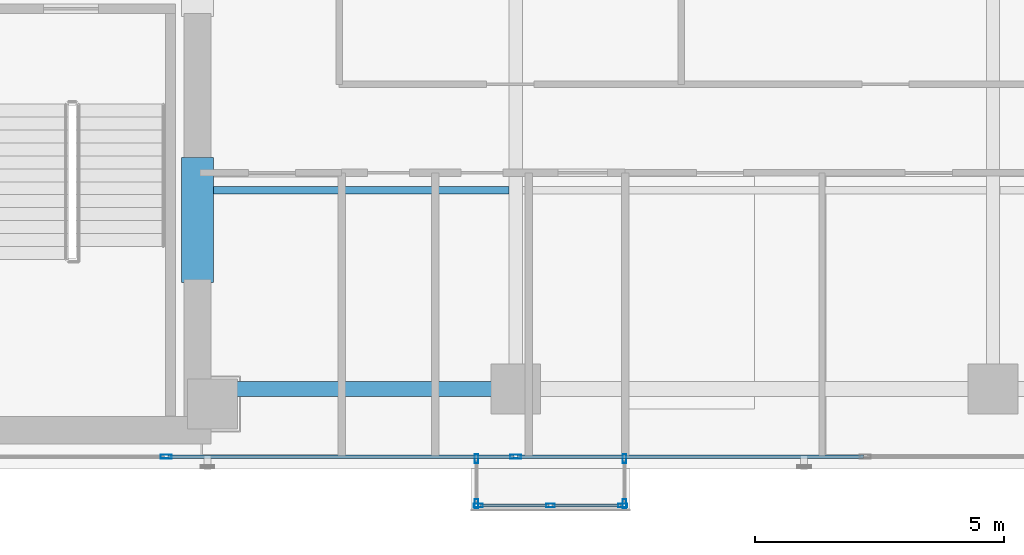
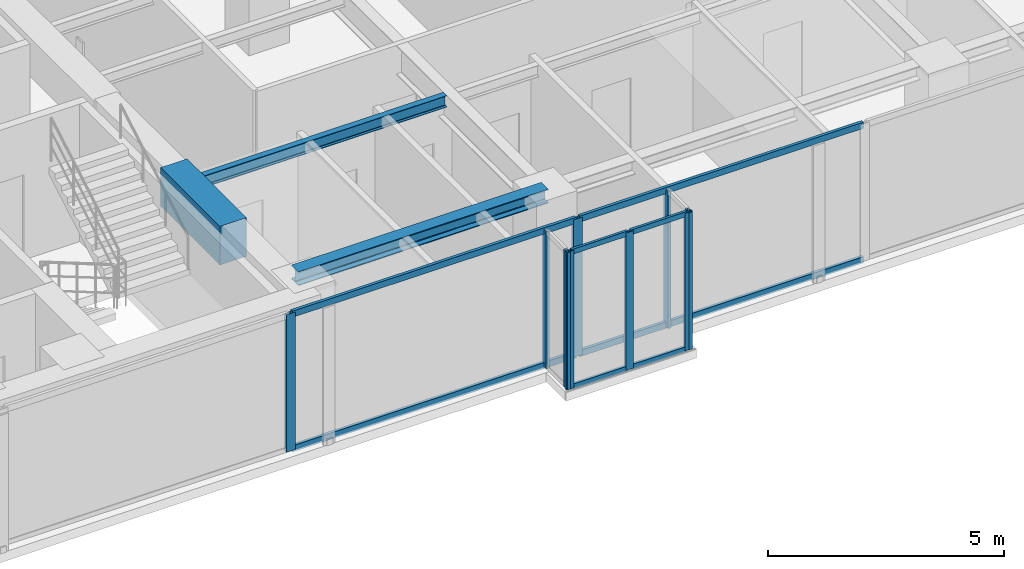
# One storey, part 4 of 22: 17 members, 3 beams, 4 elements without a shape of their own.
"""IFC4 building model written with IfcOpenShell, lengths in metres."""

from ifc_helpers import new_model, si_unit, direction, frame, origin, origin_with_axes, origin_2d, place, context, subcontext, project, spatial, rectangle, hollow_rectangle, i_section, extrude, source, transform, mapped, material, layer, layer_set, material_profile, profile_set, type_object, element, aggregate, save


model = new_model("IFC4")

# Units and contexts
model_context = context("Model", 3, precision=1e-05, world=origin(), true_north=direction((0.0, 1.0)))
body_context = subcontext(model_context, "Body", "Model", "MODEL_VIEW")
ifc_project = project(units=[si_unit("LENGTHUNIT", "METRE"), si_unit("AREAUNIT", "SQUARE_METRE"), si_unit("VOLUMEUNIT", "CUBIC_METRE"), si_unit("PLANEANGLEUNIT", "RADIAN"), si_unit("MASSUNIT", "GRAM", prefix="KILO")], contexts=[model_context])

# Site, building, storey
site_placement = place(None, origin())
site = spatial("IfcSite", under=ifc_project, at=site_placement, CompositionType="ELEMENT")
building_placement = place(site_placement, origin())
building = spatial("IfcBuilding", under=site, at=building_placement, Name="Kolvaren Waterfront Exchange", CompositionType="ELEMENT")
storey_placement = place(building_placement, frame((0.0, 0.0, 246.300048828125)))
storey = spatial("IfcBuildingStorey", under=building, at=storey_placement, Name="L63", CompositionType="ELEMENT", Elevation=246.300048828125)

# Beams
ifc_material_1 = material(Name="Steel S355", Category="steel")
ifc_material_profile_1 = material_profile(ifc_material_1, i_section(OverallWidth=0.300048828125, OverallDepth=0.360107421875, WebThickness=0.012451171875, FlangeThickness=0.0224609375, FilletRadius=0.027099609375, at=origin_2d()), Name="HEB360")
ifc_profile_set_1 = profile_set([ifc_material_profile_1], Name="Steel S355")
beam_type_1 = type_object("IfcBeamType", Name="STR-BM-HEB360", PredefinedType="SPANDREL", material=ifc_profile_set_1)
beam_1_placement = place(storey_placement, frame((21.074951171875, 5.199951171875, 3.3798828125), z_axis=(1.0, 0.0, 0.0), x_axis=(0.0, 1.0, 0.0)))
element("IfcBeam", 1, at=beam_1_placement, inside=storey, type_object=beam_type_1, Name="L63 east-arm spandrel S1", PredefinedType="SPANDREL", context=body_context, shape_type="SweptSolid", body=[
    extrude(i_section(OverallWidth=0.300048828125, OverallDepth=0.360107421875, WebThickness=0.012451171875, FlangeThickness=0.0224609375, FilletRadius=0.027099609375, at=origin_2d()), origin(), (0.0, 0.0, 1.0), 6.125),
])
ifc_material_profile_2 = material_profile(ifc_material_1, i_section(OverallWidth=0.14990234375, OverallDepth=0.300048828125, WebThickness=0.007080078125, FlangeThickness=0.0107421875, FilletRadius=0.014892578125, at=origin_2d()), Name="IPE300")
ifc_profile_set_2 = profile_set([ifc_material_profile_2], Name="Steel S355")
beam_type_2 = type_object("IfcBeamType", Name="STR-BM-IPE300", PredefinedType="JOIST", material=ifc_profile_set_2)
beam_2_placement = place(storey_placement, frame((21.10009765625, 9.199951171875, 3.409912109375), z_axis=(1.0, 0.0, 0.0), x_axis=(0.0, 1.0, 0.0)))
element("IfcBeam", 2, at=beam_2_placement, inside=storey, type_object=beam_type_2, Name="L63 east-arm composite joist 1B", PredefinedType="JOIST", context=body_context, shape_type="SweptSolid", body=[
    extrude(i_section(OverallWidth=0.14990234375, OverallDepth=0.300048828125, WebThickness=0.007080078125, FlangeThickness=0.0107421875, FilletRadius=0.014892578125, at=origin_2d()), origin(), (0.0, 0.0, 1.0), 5.96435546875),
])
ifc_material_2 = material(Name="Concrete C60/75", Category="concrete")
ifc_material_profile_3 = material_profile(ifc_material_2, rectangle(XDim=0.64990234375, YDim=1.0, at=origin_2d()), Name="RC-CB-1000x650")
ifc_profile_set_3 = profile_set([ifc_material_profile_3], Name="Concrete C60/75")
beam_type_3 = type_object("IfcBeamType", Name="STR-CB-1000", PredefinedType="SPANDREL", material=ifc_profile_set_3)
beam_3_placement = place(storey_placement, frame((20.800048828125, 7.340087890625, 3.06005859375), z_axis=(0.0, 1.0, 0.0), x_axis=(-1.0, 0.0, 0.0)))
element("IfcBeam", 3, at=beam_3_placement, inside=storey, type_object=beam_type_3, Name="L63 core coupling beam 1", PredefinedType="SPANDREL", context=body_context, shape_type="SweptSolid", body=[
    extrude(rectangle(XDim=0.64990234375, YDim=1.0, at=origin_2d()), origin(), (0.0, 0.0, 1.0), 2.52001953125),
])

# Curtain wall, members
ifc_material_3 = material(Name="Anodised bronze aluminium 6063-T6", Category="aluminium")
ifc_layer_1 = layer(ifc_material_3, 0.219970703125, Name="Anodised bronze aluminium 6063-T6")
ifc_layer_set_1 = layer_set([ifc_layer_1], Name="Anodised bronze aluminium 6063-T6")
curtain_wall_type_1 = type_object("IfcCurtainWallType", Name="ARC-CW-SYS3", PredefinedType="USERDEFINED", material=ifc_layer_set_1)
curtain_wall_1_placement = place(storey_placement, origin())
curtain_wall_1 = element("IfcCurtainWall", 4, at=curtain_wall_1_placement, inside=storey, type_object=curtain_wall_type_1, Name="L63 stick curtain wall CW3 (CW-L63-BOX)", ObjectType="STICK CURTAIN WALL", PredefinedType="USERDEFINED")
ifc_material_profile_4 = material_profile(ifc_material_3, hollow_rectangle(XDim=0.06494140625, YDim=0.1298828125, WallThickness=0.00390625, at=origin_2d()), Name="ALU-TRN-130x65x4")
ifc_profile_set_4 = profile_set([ifc_material_profile_4], Name="Anodised bronze aluminium 6063-T6")
member_type_1 = type_object("IfcMemberType", Name="ARC-CWT-130", PredefinedType="USERDEFINED", material=ifc_profile_set_4)
shared_shape_1 = source(origin_with_axes(), body_context, "Body", "SweptSolid", [
    extrude(hollow_rectangle(XDim=0.06494140625, YDim=0.1298828125, WallThickness=0.00390625, at=origin_2d()), origin(), (0.0, 0.0, 1.0), 1.37744140625),
])
member_1_placement = place(storey_placement, frame((26.485107421875, 2.860107421875, 0.032470703125), z_axis=(1.0, 0.0, 0.0), x_axis=(0.0, 1.0, 0.0)))
member_1 = element("IfcMember", 5, at=member_1_placement, type_object=member_type_1, Name="CW3 transom 1.1", ObjectType="TRANSOM", PredefinedType="USERDEFINED", context=body_context, shape_type="MappedRepresentation", body=[
    mapped(shared_shape_1, transform((0.0, 0.0, 0.0), x_axis=(1.0, 0.0, 0.0), y_axis=(0.0, 1.0, 0.0), z_axis=(0.0, 0.0, 1.0), scale=1.0)),
])
member_2_placement = place(storey_placement, frame((26.485107421875, 2.860107421875, 3.52734375), z_axis=(1.0, 0.0, 0.0), x_axis=(0.0, 1.0, 0.0)))
member_2 = element("IfcMember", 6, at=member_2_placement, type_object=member_type_1, Name="CW3 transom 1.2", ObjectType="TRANSOM", PredefinedType="USERDEFINED", context=body_context, shape_type="MappedRepresentation", body=[
    mapped(shared_shape_1, transform((0.0, 0.0, 0.0), x_axis=(1.0, 0.0, 0.0), y_axis=(0.0, 1.0, 0.0), z_axis=(0.0, 0.0, 1.0), scale=1.0)),
])
member_3_placement = place(storey_placement, frame((27.9375, 2.860107421875, 0.032470703125), z_axis=(1.0, 0.0, 0.0), x_axis=(0.0, 1.0, 0.0)))
member_3 = element("IfcMember", 7, at=member_3_placement, type_object=member_type_1, Name="CW3 transom 2.1", ObjectType="TRANSOM", PredefinedType="USERDEFINED", context=body_context, shape_type="MappedRepresentation", body=[
    mapped(shared_shape_1, transform((0.0, 0.0, 0.0), x_axis=(1.0, 0.0, 0.0), y_axis=(0.0, 1.0, 0.0), z_axis=(0.0, 0.0, 1.0), scale=1.0)),
])
member_4_placement = place(storey_placement, frame((27.9375, 2.860107421875, 3.52734375), z_axis=(1.0, 0.0, 0.0), x_axis=(0.0, 1.0, 0.0)))
member_4 = element("IfcMember", 8, at=member_4_placement, type_object=member_type_1, Name="CW3 transom 2.2", ObjectType="TRANSOM", PredefinedType="USERDEFINED", context=body_context, shape_type="MappedRepresentation", body=[
    mapped(shared_shape_1, transform((0.0, 0.0, 0.0), x_axis=(1.0, 0.0, 0.0), y_axis=(0.0, 1.0, 0.0), z_axis=(0.0, 0.0, 1.0), scale=1.0)),
])

curtain_wall_2_placement = place(storey_placement, origin())
curtain_wall_2 = element("IfcCurtainWall", 9, at=curtain_wall_2_placement, inside=storey, type_object=curtain_wall_type_1, Name="L63 stick curtain wall CW3 (CW-L63-BOX-W)", ObjectType="STICK CURTAIN WALL", PredefinedType="USERDEFINED")
ifc_material_profile_5 = material_profile(ifc_material_3, hollow_rectangle(XDim=0.074951171875, YDim=0.179931640625, WallThickness=0.00439453125, at=origin_2d()), Name="ALU-MUL-180x75x4.5")
ifc_profile_set_5 = profile_set([ifc_material_profile_5], Name="Anodised bronze aluminium 6063-T6")
member_type_2 = type_object("IfcMemberType", Name="ARC-CWM-180", PredefinedType="MULLION", material=ifc_profile_set_5)
shared_shape_2 = source(origin_with_axes(), body_context, "Body", "SweptSolid", [
    extrude(hollow_rectangle(XDim=0.074951171875, YDim=0.179931640625, WallThickness=0.00439453125, at=origin_2d()), origin(), (0.0, 0.0, 1.0), 3.56005859375),
])
member_5_placement = place(storey_placement, frame((26.409912109375, 3.802490234375, 0.0), z_axis=(0.0, 0.0, 1.0), x_axis=(1.0, 0.0, 0.0)))
member_5 = element("IfcMember", 10, at=member_5_placement, type_object=member_type_2, Name="CW3 mullion 1", PredefinedType="MULLION", context=body_context, shape_type="MappedRepresentation", body=[
    mapped(shared_shape_2, transform((0.0, 0.0, 0.0), x_axis=(1.0, 0.0, 0.0), y_axis=(0.0, 1.0, 0.0), z_axis=(0.0, 0.0, 1.0), scale=1.0)),
])
member_6_placement = place(storey_placement, frame((26.409912109375, 2.8974609375, 0.0), z_axis=(0.0, 0.0, 1.0), x_axis=(1.0, 0.0, 0.0)))
member_6 = element("IfcMember", 11, at=member_6_placement, type_object=member_type_2, Name="CW3 mullion 2", PredefinedType="MULLION", context=body_context, shape_type="MappedRepresentation", body=[
    mapped(shared_shape_2, transform((0.0, 0.0, 0.0), x_axis=(1.0, 0.0, 0.0), y_axis=(0.0, 1.0, 0.0), z_axis=(0.0, 0.0, 1.0), scale=1.0)),
])
aggregate(curtain_wall_2, [member_5, member_6])

# Member
member_7_placement = place(storey_placement, frame((26.447509765625, 2.860107421875, 0.0), z_axis=(0.0, 0.0, 1.0), x_axis=(0.0, 1.0, 0.0)))
member_7 = element("IfcMember", 12, at=member_7_placement, type_object=member_type_2, Name="CW3 mullion 1", PredefinedType="MULLION", context=body_context, shape_type="MappedRepresentation", body=[
    mapped(shared_shape_2, transform((0.0, 0.0, 0.0), x_axis=(1.0, 0.0, 0.0), y_axis=(0.0, 1.0, 0.0), z_axis=(0.0, 0.0, 1.0), scale=1.0)),
])

member_8_placement = place(storey_placement, frame((27.89990234375, 2.860107421875, 0.0), z_axis=(0.0, 0.0, 1.0), x_axis=(0.0, 1.0, 0.0)))
member_8 = element("IfcMember", 13, at=member_8_placement, type_object=member_type_2, Name="CW3 mullion 2", PredefinedType="MULLION", context=body_context, shape_type="MappedRepresentation", body=[
    mapped(shared_shape_2, transform((0.0, 0.0, 0.0), x_axis=(1.0, 0.0, 0.0), y_axis=(0.0, 1.0, 0.0), z_axis=(0.0, 0.0, 1.0), scale=1.0)),
])

member_9_placement = place(storey_placement, frame((29.3525390625, 2.860107421875, 0.0), z_axis=(0.0, 0.0, 1.0), x_axis=(0.0, 1.0, 0.0)))
member_9 = element("IfcMember", 14, at=member_9_placement, type_object=member_type_2, Name="CW3 mullion 3", PredefinedType="MULLION", context=body_context, shape_type="MappedRepresentation", body=[
    mapped(shared_shape_2, transform((0.0, 0.0, 0.0), x_axis=(1.0, 0.0, 0.0), y_axis=(0.0, 1.0, 0.0), z_axis=(0.0, 0.0, 1.0), scale=1.0)),
])

aggregate(curtain_wall_1, [member_7, member_8, member_9, member_1, member_2, member_3, member_4])

# Curtain wall, members
curtain_wall_3_placement = place(storey_placement, origin())
curtain_wall_3 = element("IfcCurtainWall", 15, at=curtain_wall_3_placement, inside=storey, type_object=curtain_wall_type_1, Name="L63 stick curtain wall CW3 (CW-L63-BOX-E)", ObjectType="STICK CURTAIN WALL", PredefinedType="USERDEFINED")
member_10_placement = place(storey_placement, frame((29.389892578125, 2.8974609375, 0.0), z_axis=(0.0, 0.0, 1.0), x_axis=(-1.0, 0.0, 0.0)))
member_10 = element("IfcMember", 16, at=member_10_placement, type_object=member_type_2, Name="CW3 mullion 1", PredefinedType="MULLION", context=body_context, shape_type="MappedRepresentation", body=[
    mapped(shared_shape_2, transform((0.0, 0.0, 0.0), x_axis=(1.0, 0.0, 0.0), y_axis=(0.0, 1.0, 0.0), z_axis=(0.0, 0.0, 1.0), scale=1.0)),
])
member_11_placement = place(storey_placement, frame((29.389892578125, 3.802490234375, 0.0), z_axis=(0.0, 0.0, 1.0), x_axis=(-1.0, 0.0, 0.0)))
member_11 = element("IfcMember", 17, at=member_11_placement, type_object=member_type_2, Name="CW3 mullion 2", PredefinedType="MULLION", context=body_context, shape_type="MappedRepresentation", body=[
    mapped(shared_shape_2, transform((0.0, 0.0, 0.0), x_axis=(1.0, 0.0, 0.0), y_axis=(0.0, 1.0, 0.0), z_axis=(0.0, 0.0, 1.0), scale=1.0)),
])
aggregate(curtain_wall_3, [member_10, member_11])

ifc_layer_2 = layer(ifc_material_3, 0.219970703125, Name="Anodised bronze aluminium 6063-T6")
ifc_layer_set_2 = layer_set([ifc_layer_2], Name="Anodised bronze aluminium 6063-T6")
curtain_wall_type_2 = type_object("IfcCurtainWallType", Name="ARC-CW-SYS1", PredefinedType="USERDEFINED", material=ifc_layer_set_2)
curtain_wall_4_placement = place(storey_placement, origin())
curtain_wall_4 = element("IfcCurtainWall", 18, at=curtain_wall_4_placement, inside=storey, type_object=curtain_wall_type_2, Name="L63 stick curtain wall CW1 (CW-L63-S)", ObjectType="STICK CURTAIN WALL", PredefinedType="USERDEFINED")
ifc_material_4 = material(Name="Anodised aluminium 6063-T6", Category="aluminium")
ifc_material_profile_6 = material_profile(ifc_material_4, hollow_rectangle(XDim=0.080078125, YDim=0.219970703125, WallThickness=0.0048828125, at=origin_2d()), Name="ALU-MUL-220x80x5")
ifc_profile_set_6 = profile_set([ifc_material_profile_6], Name="Anodised aluminium 6063-T6")
member_type_3 = type_object("IfcMemberType", Name="ARC-CWM-220", PredefinedType="MULLION", material=ifc_profile_set_6)
shared_shape_3 = source(origin_with_axes(), body_context, "Body", "SweptSolid", [
    extrude(hollow_rectangle(XDim=0.080078125, YDim=0.219970703125, WallThickness=0.0048828125, at=origin_2d()), origin(), (0.0, 0.0, 1.0), 3.56005859375),
])
member_12_placement = place(storey_placement, frame((20.166748046875, 3.840087890625, 0.0), z_axis=(0.0, 0.0, 1.0), x_axis=(0.0, 1.0, 0.0)))
member_12 = element("IfcMember", 19, at=member_12_placement, type_object=member_type_3, Name="CW1 mullion 3", PredefinedType="MULLION", context=body_context, shape_type="MappedRepresentation", body=[
    mapped(shared_shape_3, transform((0.0, 0.0, 0.0), x_axis=(1.0, 0.0, 0.0), y_axis=(0.0, 1.0, 0.0), z_axis=(0.0, 0.0, 1.0), scale=1.0)),
])
member_13_placement = place(storey_placement, frame((27.199951171875, 3.840087890625, 0.0), z_axis=(0.0, 0.0, 1.0), x_axis=(0.0, 1.0, 0.0)))
member_13 = element("IfcMember", 20, at=member_13_placement, type_object=member_type_3, Name="CW1 mullion 4", PredefinedType="MULLION", context=body_context, shape_type="MappedRepresentation", body=[
    mapped(shared_shape_3, transform((0.0, 0.0, 0.0), x_axis=(1.0, 0.0, 0.0), y_axis=(0.0, 1.0, 0.0), z_axis=(0.0, 0.0, 1.0), scale=1.0)),
])
ifc_material_profile_7 = material_profile(ifc_material_4, hollow_rectangle(XDim=0.074951171875, YDim=0.159912109375, WallThickness=0.00439453125, at=origin_2d()), Name="ALU-TRN-160x75x4.5")
ifc_profile_set_7 = profile_set([ifc_material_profile_7], Name="Anodised aluminium 6063-T6")
member_type_4 = type_object("IfcMemberType", Name="ARC-CWT-160", PredefinedType="USERDEFINED", material=ifc_profile_set_7)
shared_shape_4 = source(origin_with_axes(), body_context, "Body", "SweptSolid", [
    extrude(hollow_rectangle(XDim=0.074951171875, YDim=0.159912109375, WallThickness=0.00439453125, at=origin_2d()), origin(), (0.0, 0.0, 1.0), 6.953369140625),
])
member_14_placement = place(storey_placement, frame((27.239990234375, 3.840087890625, 0.037353515625), z_axis=(1.0, 0.0, 0.0), x_axis=(0.0, 1.0, 0.0)))
member_14 = element("IfcMember", 21, at=member_14_placement, type_object=member_type_4, Name="CW1 transom 4.1", ObjectType="TRANSOM", PredefinedType="USERDEFINED", context=body_context, shape_type="MappedRepresentation", body=[
    mapped(shared_shape_4, transform((0.0, 0.0, 0.0), x_axis=(1.0, 0.0, 0.0), y_axis=(0.0, 1.0, 0.0), z_axis=(0.0, 0.0, 1.0), scale=1.0)),
])
member_15_placement = place(storey_placement, frame((27.239990234375, 3.840087890625, 3.5224609375), z_axis=(1.0, 0.0, 0.0), x_axis=(0.0, 1.0, 0.0)))
member_15 = element("IfcMember", 22, at=member_15_placement, type_object=member_type_4, Name="CW1 transom 4.2", ObjectType="TRANSOM", PredefinedType="USERDEFINED", context=body_context, shape_type="MappedRepresentation", body=[
    mapped(shared_shape_4, transform((0.0, 0.0, 0.0), x_axis=(1.0, 0.0, 0.0), y_axis=(0.0, 1.0, 0.0), z_axis=(0.0, 0.0, 1.0), scale=1.0)),
])
shared_shape_5 = source(origin_with_axes(), body_context, "Body", "SweptSolid", [
    extrude(hollow_rectangle(XDim=0.074951171875, YDim=0.159912109375, WallThickness=0.00439453125, at=origin_2d()), origin(), (0.0, 0.0, 1.0), 6.953125),
])
member_16_placement = place(storey_placement, frame((20.206787109375, 3.840087890625, 0.037353515625), z_axis=(1.0, 0.0, 0.0), x_axis=(0.0, 1.0, 0.0)))
member_16 = element("IfcMember", 23, at=member_16_placement, type_object=member_type_4, Name="CW1 transom 3.1", ObjectType="TRANSOM", PredefinedType="USERDEFINED", context=body_context, shape_type="MappedRepresentation", body=[
    mapped(shared_shape_5, transform((0.0, 0.0, 0.0), x_axis=(1.0, 0.0, 0.0), y_axis=(0.0, 1.0, 0.0), z_axis=(0.0, 0.0, 1.0), scale=1.0)),
])
member_17_placement = place(storey_placement, frame((20.206787109375, 3.840087890625, 3.5224609375), z_axis=(1.0, 0.0, 0.0), x_axis=(0.0, 1.0, 0.0)))
member_17 = element("IfcMember", 24, at=member_17_placement, type_object=member_type_4, Name="CW1 transom 3.2", ObjectType="TRANSOM", PredefinedType="USERDEFINED", context=body_context, shape_type="MappedRepresentation", body=[
    mapped(shared_shape_5, transform((0.0, 0.0, 0.0), x_axis=(1.0, 0.0, 0.0), y_axis=(0.0, 1.0, 0.0), z_axis=(0.0, 0.0, 1.0), scale=1.0)),
])
aggregate(curtain_wall_4, [member_12, member_13, member_16, member_17, member_14, member_15])

save(model, "model.ifc")
